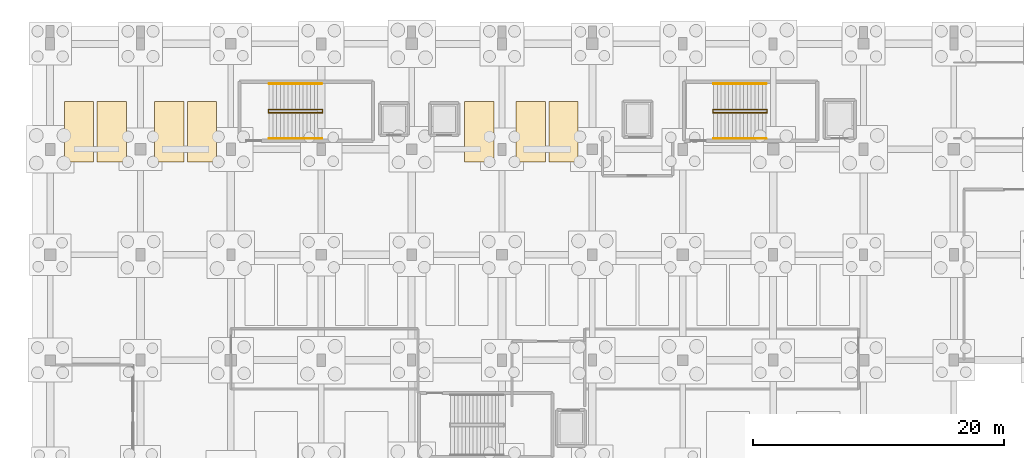
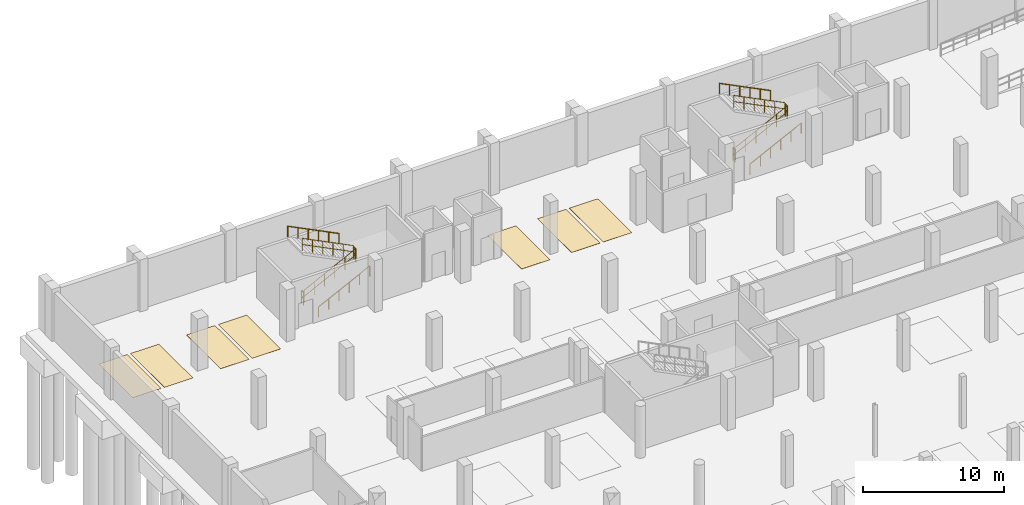
# One storey, part 32 of 35: 12 railings, 7 coverings.
"""IFC4 building model written with IfcOpenShell, lengths in metres."""

import ifcopenshell
import ifcopenshell.guid

model = None  # the IFC model being written
_history = None  # IfcOwnerHistory: only IFC2X3 demands one
_inside = {}  # id of a spatial element -> (the spatial element, [elements in it])
_under = {}  # id of a project, library or spatial element -> (it, [spatial elements below it])
_declared = {}  # id of a project -> (the project, [libraries it declares])
_typed = {}  # id of a type object -> (the type object, [elements of that type])
_made_of = {}  # id of a material, layer set ... -> (it, [elements and type objects made of it])


def new_model(schema):
    """Start an empty IFC model of exactly this schema.

    Asked for "IFC4X3", IfcOpenShell would pick the latest addendum, in which some entities
    have other attributes; the version numbers below select the first issue.
    IFC2X3 requires an IfcOwnerHistory on every rooted entity: one is made here for all.
    """
    global model, _history
    if schema == "IFC4X3":
        model = ifcopenshell.file(schema_version=(4, 3, 0, 0))
    else:
        model = ifcopenshell.file(schema=schema)
    _inside.clear()
    _under.clear()
    _declared.clear()
    _typed.clear()
    _made_of.clear()
    _history = None
    if model.schema == "IFC2X3":
        org = make("IfcOrganization", Name="unknown")
        user = make(
            "IfcPersonAndOrganization",
            ThePerson=make("IfcPerson", FamilyName="unknown"),
            TheOrganization=org,
        )
        app = make(
            "IfcApplication",
            ApplicationDeveloper=org,
            Version="unknown",
            ApplicationFullName="unknown",
            ApplicationIdentifier="unknown",
        )
        _history = make(
            "IfcOwnerHistory",
            OwningUser=user,
            OwningApplication=app,
            ChangeAction="ADDED",
            CreationDate=0,
        )
    return model


def make(cls, **values):
    """One entity of the class cls with the attributes given. An attribute that is None is left unset."""
    return model.create_entity(
        cls, **{name: value for name, value in values.items() if value is not None}
    )


def rooted(cls, **values):
    """An entity with a GlobalId (a new one), such as an element, a storey or a relation."""
    return make(cls, GlobalId=ifcopenshell.guid.new(), OwnerHistory=_history, **values)


def si_unit(unit_type, name, prefix=None):
    """IfcSIUnit, for example si_unit("LENGTHUNIT", "METRE", prefix="MILLI")."""
    return make("IfcSIUnit", UnitType=unit_type, Prefix=prefix, Name=name)


def assignment(units):
    """IfcUnitAssignment: the units of a project."""
    return None if units is None else make("IfcUnitAssignment", Units=units)


def point(xyz):
    """IfcCartesianPoint."""
    return None if xyz is None else make("IfcCartesianPoint", Coordinates=xyz)


def direction(xyz):
    """IfcDirection."""
    return None if xyz is None else make("IfcDirection", DirectionRatios=xyz)


def frame(location, z_axis=None, x_axis=None):
    """IfcAxis2Placement3D, a coordinate frame: its origin and axes. An axis left out is left unset."""
    return make(
        "IfcAxis2Placement3D",
        Location=point(location),
        Axis=direction(z_axis),
        RefDirection=direction(x_axis),
    )


def frame_2d(location, x_axis=None):
    """IfcAxis2Placement2D, a coordinate frame in the plane: its origin and x axis."""
    return make(
        "IfcAxis2Placement2D", Location=point(location), RefDirection=direction(x_axis)
    )


def origin():
    """The frame at (0, 0, 0) with its axes left unset."""
    return frame((0.0, 0.0, 0.0))


def origin_2d():
    """The frame at (0, 0) in the plane with its x axis left unset."""
    return frame_2d((0.0, 0.0))


def place(relative_to, where):
    """IfcLocalPlacement: puts the frame where relative to a parent placement (None: the world)."""
    return make(
        "IfcLocalPlacement", PlacementRelTo=relative_to, RelativePlacement=where
    )


def context(
    kind, dimensions, precision=None, world=None, true_north=None, identifier=None
):
    """IfcGeometricRepresentationContext, for example the 3D "Model" context."""
    return make(
        "IfcGeometricRepresentationContext",
        ContextIdentifier=identifier,
        ContextType=kind,
        CoordinateSpaceDimension=dimensions,
        Precision=precision,
        WorldCoordinateSystem=world,
        TrueNorth=true_north,
    )


def subcontext(parent, identifier, kind, view, scale=None):
    """IfcGeometricRepresentationSubContext, for example "Body" below "Model"."""
    return make(
        "IfcGeometricRepresentationSubContext",
        ContextIdentifier=identifier,
        ContextType=kind,
        ParentContext=parent,
        TargetScale=scale,
        TargetView=view,
    )


def project(units=None, contexts=None):
    """IfcProject with its units and contexts."""
    return rooted(
        "IfcProject",
        Name="project",
        RepresentationContexts=contexts,
        UnitsInContext=assignment(units),
    )


def spatial(cls, under=None, at=None, **own):
    """A site, building, storey or space (cls), placed at a placement, below another one or the project."""
    s = rooted(cls, ObjectPlacement=at, **own)
    if under is not None:
        _under.setdefault(under.id(), (under, []))[1].append(s)
    return s


def polyline(points):
    """IfcPolyline through the points."""
    return make("IfcPolyline", Points=[point(p) for p in points])


def profile(cls, at=None, kind="AREA", **sizes):
    """A parametric profile (cls). Its sizes go by their IFC names, for example OverallWidth=200.0."""
    return make(cls, ProfileType=kind, Position=at, **sizes)


def circle(**sizes):
    """IfcCircleProfileDef."""
    return profile("IfcCircleProfileDef", **sizes)


def outline(outer, holes=None, kind="AREA"):
    """IfcArbitraryClosedProfileDef: a profile drawn as a closed curve; with holes, ...WithVoids."""
    if holes is None:
        return make("IfcArbitraryClosedProfileDef", ProfileType=kind, OuterCurve=outer)
    return make(
        "IfcArbitraryProfileDefWithVoids",
        ProfileType=kind,
        OuterCurve=outer,
        InnerCurves=holes,
    )


def extrude(swept, where, along, depth):
    """IfcExtrudedAreaSolid: the profile swept, set in the frame where, extruded along a direction by depth."""
    return make(
        "IfcExtrudedAreaSolid",
        SweptArea=swept,
        Position=where,
        ExtrudedDirection=direction(along),
        Depth=depth,
    )


def shape(context_of_items, identifier, shape_type, items):
    """IfcShapeRepresentation: the items that make up one representation, for example the "Body"."""
    return make(
        "IfcShapeRepresentation",
        ContextOfItems=context_of_items,
        RepresentationIdentifier=identifier,
        RepresentationType=shape_type,
        Items=items,
    )


def material(Name=None, Category=None):
    """IfcMaterial."""
    return make("IfcMaterial", Name=Name, Category=Category)


def layer(
    of_material, thickness, ventilated=None, Name=None, Category=None, Priority=None
):
    """IfcMaterialLayer: one layer of a wall or slab, of a material (None: an air gap)."""
    return make(
        "IfcMaterialLayer",
        Material=of_material,
        LayerThickness=thickness,
        IsVentilated=ventilated,
        Name=Name,
        Category=Category,
        Priority=Priority,
    )


def layer_set(layers, Name=None):
    """IfcMaterialLayerSet."""
    return make("IfcMaterialLayerSet", MaterialLayers=layers, LayerSetName=Name)


def made_of(thing, what):
    """Note that an element or type object is made of a material, layer set ...; save() writes the relation."""
    if what is not None:
        _made_of.setdefault(what.id(), (what, []))[1].append(thing)
    return thing


def type_object(cls, material=None, **own):
    """A type object (cls), such as IfcWallType, which elements share."""
    return made_of(rooted(cls, **own), material)


def element(
    cls,
    number,
    at=None,
    inside=None,
    cuts=None,
    type_object=None,
    material=None,
    context=None,
    identifier="Body",
    shape_type=None,
    held_by="IfcProductDefinitionShape",
    body=None,
    shapes=None,
    **own,
):
    """One element of the class cls, such as IfcWall. Its Tag is "e" and its number.

    at: its placement. inside: the storey or other place that contains it. cuts: it is an
    opening in that element (IfcRelVoidsElement). A single representation is given by context,
    identifier, shape_type and body (its items); several are given by shapes. held_by: the class
    of the entity that holds the representations. save() writes the other relations.
    """
    e = rooted(cls, Tag="e%d" % number, ObjectPlacement=at, **own)
    if body is not None:
        shapes = [shape(context, identifier, shape_type, body)]
    if shapes is not None:
        e.Representation = make(held_by, Representations=shapes)
    if inside is not None:
        _inside.setdefault(inside.id(), (inside, []))[1].append(e)
    if cuts is not None:
        rooted(
            "IfcRelVoidsElement", RelatingBuildingElement=cuts, RelatedOpeningElement=e
        )
    if type_object is not None:
        _typed.setdefault(type_object.id(), (type_object, []))[1].append(e)
    return made_of(e, material)


def aggregate(whole, parts):
    """IfcRelAggregates: a whole, such as a stair, and the parts it consists of."""
    return rooted("IfcRelAggregates", RelatingObject=whole, RelatedObjects=parts)


def save(model, path):
    """Write the relations noted so far, then the file.

    IfcRelAggregates (storeys below a building ...), IfcRelContainedInSpatialStructure (elements
    in a storey), IfcRelDefinesByType, IfcRelAssociatesMaterial and IfcRelDeclares: one each for
    every whole, place, type object, material and project.
    """
    for whole, parts in _under.values():
        aggregate(whole, parts)
    for where, things in _inside.values():
        rooted(
            "IfcRelContainedInSpatialStructure",
            RelatedElements=things,
            RelatingStructure=where,
        )
    for kind, things in _typed.values():
        rooted("IfcRelDefinesByType", RelatedObjects=things, RelatingType=kind)
    for what, things in _made_of.values():
        rooted("IfcRelAssociatesMaterial", RelatedObjects=things, RelatingMaterial=what)
    for by, libraries in _declared.values():
        rooted("IfcRelDeclares", RelatingContext=by, RelatedDefinitions=libraries)
    model.write(path)


model = new_model("IFC4")

# Units and contexts
model_context = context("Model", 3, precision=1e-05, world=origin(), true_north=direction((0.0, 1.0)))
body_context = subcontext(model_context, "Body", "Model", "MODEL_VIEW")
ifc_project = project(units=[si_unit("LENGTHUNIT", "METRE"), si_unit("AREAUNIT", "SQUARE_METRE"), si_unit("VOLUMEUNIT", "CUBIC_METRE"), si_unit("PLANEANGLEUNIT", "RADIAN"), si_unit("MASSUNIT", "GRAM", prefix="KILO")], contexts=[model_context])

# Site, building, storey
site_placement = place(None, origin())
site = spatial("IfcSite", under=ifc_project, at=site_placement, CompositionType="ELEMENT")
building_placement = place(site_placement, origin())
building = spatial("IfcBuilding", under=site, at=building_placement, Name="Kalluvel Institute of Natural Sciences", CompositionType="ELEMENT")
storey_placement = place(building_placement, frame((0.0, 0.0, -4.5)))
storey = spatial("IfcBuildingStorey", under=building, at=storey_placement, Name="B1", CompositionType="ELEMENT", Elevation=-4.5)

# Coverings
ifc_material_1 = material(Name="Seamless Chemical-Resistant Epoxy Flooring", Category="resin")
ifc_layer = layer(ifc_material_1, 0.014892578125)
ifc_layer_set = layer_set([ifc_layer], Name="Seamless Chemical-Resistant Epoxy Flooring")
covering_type = type_object("IfcCoveringType", Name="COV-FLR-EPOXY", PredefinedType="FLOORING", material=ifc_layer_set)
covering_1_placement = place(storey_placement, origin())
element("IfcCovering", 1, at=covering_1_placement, inside=storey, type_object=covering_type, Name="Parking bay marking B1-P15", PredefinedType="FLOORING", context=body_context, shape_type="SweptSolid", body=[
    extrude(outline(polyline([(15.1298828125, 118.580078125), (17.469970703125, 118.580078125), (17.469970703125, 123.419921875), (15.1298828125, 123.419921875), (15.1298828125, 118.580078125)])), origin(), (0.0, 0.0, 1.0), 0.008056640625),
])
covering_2_placement = place(storey_placement, origin())
element("IfcCovering", 2, at=covering_2_placement, inside=storey, type_object=covering_type, Name="Parking bay marking B1-P16", PredefinedType="FLOORING", context=body_context, shape_type="SweptSolid", body=[
    extrude(outline(polyline([(17.72998046875, 118.580078125), (20.070068359375, 118.580078125), (20.070068359375, 123.419921875), (17.72998046875, 123.419921875), (17.72998046875, 118.580078125)])), origin(), (0.0, 0.0, 1.0), 0.008056640625),
])
covering_3_placement = place(storey_placement, origin())
element("IfcCovering", 3, at=covering_3_placement, inside=storey, type_object=covering_type, Name="Parking bay marking B1-P17", PredefinedType="FLOORING", context=body_context, shape_type="SweptSolid", body=[
    extrude(outline(polyline([(22.330078125, 118.580078125), (24.669921875, 118.580078125), (24.669921875, 123.419921875), (22.330078125, 123.419921875), (22.330078125, 118.580078125)])), origin(), (0.0, 0.0, 1.0), 0.008056640625),
])
covering_4_placement = place(storey_placement, origin())
element("IfcCovering", 4, at=covering_4_placement, inside=storey, type_object=covering_type, Name="Parking bay marking B1-P18", PredefinedType="FLOORING", context=body_context, shape_type="SweptSolid", body=[
    extrude(outline(polyline([(24.929931640625, 118.580078125), (27.27001953125, 118.580078125), (27.27001953125, 123.419921875), (24.929931640625, 123.419921875), (24.929931640625, 118.580078125)])), origin(), (0.0, 0.0, 1.0), 0.008056640625),
])
covering_5_placement = place(storey_placement, origin())
element("IfcCovering", 5, at=covering_5_placement, inside=storey, type_object=covering_type, Name="Parking bay marking B1-P19", PredefinedType="FLOORING", context=body_context, shape_type="SweptSolid", body=[
    extrude(outline(polyline([(47.030029296875, 118.580078125), (49.3701171875, 118.580078125), (49.3701171875, 123.419921875), (47.030029296875, 123.419921875), (47.030029296875, 118.580078125)])), origin(), (0.0, 0.0, 1.0), 0.008056640625),
])
covering_6_placement = place(storey_placement, origin())
element("IfcCovering", 6, at=covering_6_placement, inside=storey, type_object=covering_type, Name="Parking bay marking B1-P20", PredefinedType="FLOORING", context=body_context, shape_type="SweptSolid", body=[
    extrude(outline(polyline([(51.1298828125, 118.580078125), (53.469970703125, 118.580078125), (53.469970703125, 123.419921875), (51.1298828125, 123.419921875), (51.1298828125, 118.580078125)])), origin(), (0.0, 0.0, 1.0), 0.008056640625),
])
covering_7_placement = place(storey_placement, origin())
element("IfcCovering", 7, at=covering_7_placement, inside=storey, type_object=covering_type, Name="Parking bay marking B1-P21", PredefinedType="FLOORING", context=body_context, shape_type="SweptSolid", body=[
    extrude(outline(polyline([(53.72998046875, 118.580078125), (56.070068359375, 118.580078125), (56.070068359375, 123.419921875), (53.72998046875, 123.419921875), (53.72998046875, 118.580078125)])), origin(), (0.0, 0.0, 1.0), 0.008056640625),
])

# Railings
ifc_material_2 = material(Name="Galvanized Fire-Rated Steel", Category="steel")
railing_type_1 = type_object("IfcRailingType", Name="RL-GD-STAIR", PredefinedType="BALUSTRADE", material=ifc_material_2)
railing_1_placement = place(storey_placement, frame((31.449951171875, 122.510009765625, 0.14990234375)))
element("IfcRailing", 8, at=railing_1_placement, inside=storey, type_object=railing_type_1, Name="B1 ST1 stair guard 1", PredefinedType="BALUSTRADE", context=body_context, shape_type="SweptSolid", body=[
    extrude(circle(Radius=0.02392578125, at=origin_2d()), frame((0.0, 0.0, 1.09619140625), z_axis=(0.894416792377, 0.0, 0.447234392142), x_axis=(0.0, 1.0, 0.0)), (0.0, 0.0, 1.0), 4.69580078125),
    extrude(circle(Radius=0.02392578125, at=origin_2d()), frame((0.0, 0.0, 0.56005859375), z_axis=(0.894416792377, 0.0, 0.447234392142), x_axis=(0.0, 1.0, 0.0)), (0.0, 0.0, 1.0), 4.69580078125),
    extrude(circle(Radius=0.02099609375, at=origin_2d()), origin(), (0.0, 0.0, 1.0), 1.072021484375),
    extrude(circle(Radius=0.02099609375, at=origin_2d()), frame((0.840087890625, 0.0, 0.419921875)), (0.0, 0.0, 1.0), 1.072021484375),
    extrude(circle(Radius=0.02099609375, at=origin_2d()), frame((1.679931640625, 0.0, 0.840087890625)), (0.0, 0.0, 1.0), 1.072021484375),
    extrude(circle(Radius=0.02099609375, at=origin_2d()), frame((2.52001953125, 0.0, 1.260009765625)), (0.0, 0.0, 1.0), 1.072021484375),
    extrude(circle(Radius=0.02099609375, at=origin_2d()), frame((3.35986328125, 0.0, 1.68017578125)), (0.0, 0.0, 1.0), 1.072021484375),
    extrude(circle(Radius=0.02099609375, at=origin_2d()), frame((4.199951171875, 0.0, 2.10009765625)), (0.0, 0.0, 1.0), 1.072021484375),
])
railing_2_placement = place(storey_placement, frame((35.699951171875, 122.4951171875, 2.25)))
element("IfcRailing", 9, at=railing_2_placement, inside=storey, type_object=railing_type_1, Name="B1 ST1 stair guard 2", PredefinedType="BALUSTRADE", context=body_context, shape_type="SweptSolid", body=[
    extrude(circle(Radius=0.02392578125, at=origin_2d()), frame((0.0, 0.0, 1.09619140625), z_axis=(0.0, 1.0, 0.0), x_axis=(-1.0, 0.0, 0.0)), (0.0, 0.0, 1.0), 0.27978515625),
    extrude(circle(Radius=0.02392578125, at=origin_2d()), frame((0.0, 0.0, 0.56005859375), z_axis=(0.0, 1.0, 0.0), x_axis=(-1.0, 0.0, 0.0)), (0.0, 0.0, 1.0), 0.27978515625),
    extrude(circle(Radius=0.02099609375, at=origin_2d()), origin(), (0.0, 0.0, 1.0), 1.072021484375),
    extrude(circle(Radius=0.02099609375, at=origin_2d()), frame((0.0, 0.27978515625, 0.0)), (0.0, 0.0, 1.0), 1.072021484375),
])
railing_3_placement = place(storey_placement, frame((35.64990234375, 122.760009765625, 2.39990234375)))
element("IfcRailing", 10, at=railing_3_placement, inside=storey, type_object=railing_type_1, Name="B1 ST1 stair guard 3", PredefinedType="BALUSTRADE", context=body_context, shape_type="SweptSolid", body=[
    extrude(circle(Radius=0.02392578125, at=origin_2d()), frame((0.0, 0.0, 1.09619140625), z_axis=(-0.894416792377, 0.0, 0.447234392142), x_axis=(0.0, -1.0, 0.0)), (0.0, 0.0, 1.0), 4.69580078125),
    extrude(circle(Radius=0.02392578125, at=origin_2d()), frame((0.0, 0.0, 0.56005859375), z_axis=(-0.894416792377, 0.0, 0.447234392142), x_axis=(0.0, -1.0, 0.0)), (0.0, 0.0, 1.0), 4.69580078125),
    extrude(circle(Radius=0.02099609375, at=origin_2d()), origin(), (0.0, 0.0, 1.0), 1.072021484375),
    extrude(circle(Radius=0.02099609375, at=origin_2d()), frame((-0.840087890625, 0.0, 0.419921875)), (0.0, 0.0, 1.0), 1.072021484375),
    extrude(circle(Radius=0.02099609375, at=origin_2d()), frame((-1.679931640625, 0.0, 0.840087890625)), (0.0, 0.0, 1.0), 1.072021484375),
    extrude(circle(Radius=0.02099609375, at=origin_2d()), frame((-2.52001953125, 0.0, 1.260009765625)), (0.0, 0.0, 1.0), 1.072021484375),
    extrude(circle(Radius=0.02099609375, at=origin_2d()), frame((-3.35986328125, 0.0, 1.68017578125)), (0.0, 0.0, 1.0), 1.072021484375),
    extrude(circle(Radius=0.02099609375, at=origin_2d()), frame((-4.199951171875, 0.0, 2.10009765625)), (0.0, 0.0, 1.0), 1.072021484375),
])
railing_4_placement = place(storey_placement, frame((31.39990234375, 122.4951171875, 0.0)))
element("IfcRailing", 11, at=railing_4_placement, inside=storey, type_object=railing_type_1, Name="B1 ST1 stair guard 4", PredefinedType="BALUSTRADE", context=body_context, shape_type="SweptSolid", body=[
    extrude(circle(Radius=0.02392578125, at=origin_2d()), frame((0.0, 0.0, 1.09619140625), z_axis=(0.0, 1.0, 0.0), x_axis=(-1.0, 0.0, 0.0)), (0.0, 0.0, 1.0), 0.27978515625),
    extrude(circle(Radius=0.02392578125, at=origin_2d()), frame((0.0, 0.0, 0.56005859375), z_axis=(0.0, 1.0, 0.0), x_axis=(-1.0, 0.0, 0.0)), (0.0, 0.0, 1.0), 0.27978515625),
    extrude(circle(Radius=0.02099609375, at=origin_2d()), origin(), (0.0, 0.0, 1.0), 1.072021484375),
    extrude(circle(Radius=0.02099609375, at=origin_2d()), frame((0.0, 0.27978515625, 0.0)), (0.0, 0.0, 1.0), 1.072021484375),
])
railing_5_placement = place(storey_placement, frame((66.85009765625, 122.510009765625, 0.14990234375)))
element("IfcRailing", 12, at=railing_5_placement, inside=storey, type_object=railing_type_1, Name="B1 ST2 stair guard 1", PredefinedType="BALUSTRADE", context=body_context, shape_type="SweptSolid", body=[
    extrude(circle(Radius=0.02392578125, at=origin_2d()), frame((0.0, 0.0, 1.09619140625), z_axis=(0.894416792377, 0.0, 0.447234392142), x_axis=(0.0, 1.0, 0.0)), (0.0, 0.0, 1.0), 4.69580078125),
    extrude(circle(Radius=0.02392578125, at=origin_2d()), frame((0.0, 0.0, 0.56005859375), z_axis=(0.894416792377, 0.0, 0.447234392142), x_axis=(0.0, 1.0, 0.0)), (0.0, 0.0, 1.0), 4.69580078125),
    extrude(circle(Radius=0.02099609375, at=origin_2d()), origin(), (0.0, 0.0, 1.0), 1.072021484375),
    extrude(circle(Radius=0.02099609375, at=origin_2d()), frame((0.840087890625, 0.0, 0.419921875)), (0.0, 0.0, 1.0), 1.072021484375),
    extrude(circle(Radius=0.02099609375, at=origin_2d()), frame((1.679931640625, 0.0, 0.840087890625)), (0.0, 0.0, 1.0), 1.072021484375),
    extrude(circle(Radius=0.02099609375, at=origin_2d()), frame((2.52001953125, 0.0, 1.260009765625)), (0.0, 0.0, 1.0), 1.072021484375),
    extrude(circle(Radius=0.02099609375, at=origin_2d()), frame((3.35986328125, 0.0, 1.68017578125)), (0.0, 0.0, 1.0), 1.072021484375),
    extrude(circle(Radius=0.02099609375, at=origin_2d()), frame((4.199951171875, 0.0, 2.10009765625)), (0.0, 0.0, 1.0), 1.072021484375),
])
railing_6_placement = place(storey_placement, frame((71.10009765625, 122.4951171875, 2.25)))
element("IfcRailing", 13, at=railing_6_placement, inside=storey, type_object=railing_type_1, Name="B1 ST2 stair guard 2", PredefinedType="BALUSTRADE", context=body_context, shape_type="SweptSolid", body=[
    extrude(circle(Radius=0.02392578125, at=origin_2d()), frame((0.0, 0.0, 1.09619140625), z_axis=(0.0, 1.0, 0.0), x_axis=(-1.0, 0.0, 0.0)), (0.0, 0.0, 1.0), 0.27978515625),
    extrude(circle(Radius=0.02392578125, at=origin_2d()), frame((0.0, 0.0, 0.56005859375), z_axis=(0.0, 1.0, 0.0), x_axis=(-1.0, 0.0, 0.0)), (0.0, 0.0, 1.0), 0.27978515625),
    extrude(circle(Radius=0.02099609375, at=origin_2d()), origin(), (0.0, 0.0, 1.0), 1.072021484375),
    extrude(circle(Radius=0.02099609375, at=origin_2d()), frame((0.0, 0.27978515625, 0.0)), (0.0, 0.0, 1.0), 1.072021484375),
])
railing_7_placement = place(storey_placement, frame((71.050048828125, 122.760009765625, 2.39990234375)))
element("IfcRailing", 14, at=railing_7_placement, inside=storey, type_object=railing_type_1, Name="B1 ST2 stair guard 3", PredefinedType="BALUSTRADE", context=body_context, shape_type="SweptSolid", body=[
    extrude(circle(Radius=0.02392578125, at=origin_2d()), frame((0.0, 0.0, 1.09619140625), z_axis=(-0.894416792377, 0.0, 0.447234392142), x_axis=(0.0, -1.0, 0.0)), (0.0, 0.0, 1.0), 4.69580078125),
    extrude(circle(Radius=0.02392578125, at=origin_2d()), frame((0.0, 0.0, 0.56005859375), z_axis=(-0.894416792377, 0.0, 0.447234392142), x_axis=(0.0, -1.0, 0.0)), (0.0, 0.0, 1.0), 4.69580078125),
    extrude(circle(Radius=0.02099609375, at=origin_2d()), origin(), (0.0, 0.0, 1.0), 1.072021484375),
    extrude(circle(Radius=0.02099609375, at=origin_2d()), frame((-0.840087890625, 0.0, 0.419921875)), (0.0, 0.0, 1.0), 1.072021484375),
    extrude(circle(Radius=0.02099609375, at=origin_2d()), frame((-1.679931640625, 0.0, 0.840087890625)), (0.0, 0.0, 1.0), 1.072021484375),
    extrude(circle(Radius=0.02099609375, at=origin_2d()), frame((-2.52001953125, 0.0, 1.260009765625)), (0.0, 0.0, 1.0), 1.072021484375),
    extrude(circle(Radius=0.02099609375, at=origin_2d()), frame((-3.35986328125, 0.0, 1.68017578125)), (0.0, 0.0, 1.0), 1.072021484375),
    extrude(circle(Radius=0.02099609375, at=origin_2d()), frame((-4.199951171875, 0.0, 2.10009765625)), (0.0, 0.0, 1.0), 1.072021484375),
])
railing_8_placement = place(storey_placement, frame((66.800048828125, 122.4951171875, 0.0)))
element("IfcRailing", 15, at=railing_8_placement, inside=storey, type_object=railing_type_1, Name="B1 ST2 stair guard 4", PredefinedType="BALUSTRADE", context=body_context, shape_type="SweptSolid", body=[
    extrude(circle(Radius=0.02392578125, at=origin_2d()), frame((0.0, 0.0, 1.09619140625), z_axis=(0.0, 1.0, 0.0), x_axis=(-1.0, 0.0, 0.0)), (0.0, 0.0, 1.0), 0.27978515625),
    extrude(circle(Radius=0.02392578125, at=origin_2d()), frame((0.0, 0.0, 0.56005859375), z_axis=(0.0, 1.0, 0.0), x_axis=(-1.0, 0.0, 0.0)), (0.0, 0.0, 1.0), 0.27978515625),
    extrude(circle(Radius=0.02099609375, at=origin_2d()), origin(), (0.0, 0.0, 1.0), 1.072021484375),
    extrude(circle(Radius=0.02099609375, at=origin_2d()), frame((0.0, 0.27978515625, 0.0)), (0.0, 0.0, 1.0), 1.072021484375),
])
railing_type_2 = type_object("IfcRailingType", Name="RL-HR-STAIR", PredefinedType="HANDRAIL", material=ifc_material_2)
railing_9_placement = place(storey_placement, frame((31.449951171875, 120.449951171875, 0.14990234375)))
element("IfcRailing", 16, at=railing_9_placement, inside=storey, type_object=railing_type_2, Name="B1 ST1 stair handrail 1", PredefinedType="HANDRAIL", context=body_context, shape_type="SweptSolid", body=[
    extrude(circle(Radius=0.02392578125, at=origin_2d()), frame((0.0, 0.0, 0.89599609375), z_axis=(0.894416792377, 0.0, 0.447234392142), x_axis=(0.0, 1.0, 0.0)), (0.0, 0.0, 1.0), 4.69580078125),
    extrude(circle(Radius=0.02099609375, at=origin_2d()), origin(), (0.0, 0.0, 1.0), 0.871826171875),
    extrude(circle(Radius=0.02099609375, at=origin_2d()), frame((0.840087890625, 0.0, 0.419921875)), (0.0, 0.0, 1.0), 0.871826171875),
    extrude(circle(Radius=0.02099609375, at=origin_2d()), frame((1.679931640625, 0.0, 0.840087890625)), (0.0, 0.0, 1.0), 0.871826171875),
    extrude(circle(Radius=0.02099609375, at=origin_2d()), frame((2.52001953125, 0.0, 1.260009765625)), (0.0, 0.0, 1.0), 0.871826171875),
    extrude(circle(Radius=0.02099609375, at=origin_2d()), frame((3.35986328125, 0.0, 1.68017578125)), (0.0, 0.0, 1.0), 0.871826171875),
    extrude(circle(Radius=0.02099609375, at=origin_2d()), frame((4.199951171875, 0.0, 2.10009765625)), (0.0, 0.0, 1.0), 0.871826171875),
])
railing_10_placement = place(storey_placement, frame((35.64990234375, 124.820068359375, 2.39990234375)))
element("IfcRailing", 17, at=railing_10_placement, inside=storey, type_object=railing_type_2, Name="B1 ST1 stair handrail 2", PredefinedType="HANDRAIL", context=body_context, shape_type="SweptSolid", body=[
    extrude(circle(Radius=0.02392578125, at=origin_2d()), frame((0.0, 0.0, 0.89599609375), z_axis=(-0.894416792377, 0.0, 0.447234392142), x_axis=(0.0, -1.0, 0.0)), (0.0, 0.0, 1.0), 4.69580078125),
    extrude(circle(Radius=0.02099609375, at=origin_2d()), origin(), (0.0, 0.0, 1.0), 0.871826171875),
    extrude(circle(Radius=0.02099609375, at=origin_2d()), frame((-0.840087890625, 0.0, 0.419921875)), (0.0, 0.0, 1.0), 0.871826171875),
    extrude(circle(Radius=0.02099609375, at=origin_2d()), frame((-1.679931640625, 0.0, 0.840087890625)), (0.0, 0.0, 1.0), 0.871826171875),
    extrude(circle(Radius=0.02099609375, at=origin_2d()), frame((-2.52001953125, 0.0, 1.260009765625)), (0.0, 0.0, 1.0), 0.871826171875),
    extrude(circle(Radius=0.02099609375, at=origin_2d()), frame((-3.35986328125, 0.0, 1.68017578125)), (0.0, 0.0, 1.0), 0.871826171875),
    extrude(circle(Radius=0.02099609375, at=origin_2d()), frame((-4.199951171875, 0.0, 2.10009765625)), (0.0, 0.0, 1.0), 0.871826171875),
])
railing_11_placement = place(storey_placement, frame((66.85009765625, 120.449951171875, 0.14990234375)))
element("IfcRailing", 18, at=railing_11_placement, inside=storey, type_object=railing_type_2, Name="B1 ST2 stair handrail 1", PredefinedType="HANDRAIL", context=body_context, shape_type="SweptSolid", body=[
    extrude(circle(Radius=0.02392578125, at=origin_2d()), frame((0.0, 0.0, 0.89599609375), z_axis=(0.894416792377, 0.0, 0.447234392142), x_axis=(0.0, 1.0, 0.0)), (0.0, 0.0, 1.0), 4.69580078125),
    extrude(circle(Radius=0.02099609375, at=origin_2d()), origin(), (0.0, 0.0, 1.0), 0.871826171875),
    extrude(circle(Radius=0.02099609375, at=origin_2d()), frame((0.840087890625, 0.0, 0.419921875)), (0.0, 0.0, 1.0), 0.871826171875),
    extrude(circle(Radius=0.02099609375, at=origin_2d()), frame((1.679931640625, 0.0, 0.840087890625)), (0.0, 0.0, 1.0), 0.871826171875),
    extrude(circle(Radius=0.02099609375, at=origin_2d()), frame((2.52001953125, 0.0, 1.260009765625)), (0.0, 0.0, 1.0), 0.871826171875),
    extrude(circle(Radius=0.02099609375, at=origin_2d()), frame((3.35986328125, 0.0, 1.68017578125)), (0.0, 0.0, 1.0), 0.871826171875),
    extrude(circle(Radius=0.02099609375, at=origin_2d()), frame((4.199951171875, 0.0, 2.10009765625)), (0.0, 0.0, 1.0), 0.871826171875),
])
railing_12_placement = place(storey_placement, frame((71.050048828125, 124.820068359375, 2.39990234375)))
element("IfcRailing", 19, at=railing_12_placement, inside=storey, type_object=railing_type_2, Name="B1 ST2 stair handrail 2", PredefinedType="HANDRAIL", context=body_context, shape_type="SweptSolid", body=[
    extrude(circle(Radius=0.02392578125, at=origin_2d()), frame((0.0, 0.0, 0.89599609375), z_axis=(-0.894416792377, 0.0, 0.447234392142), x_axis=(0.0, -1.0, 0.0)), (0.0, 0.0, 1.0), 4.69580078125),
    extrude(circle(Radius=0.02099609375, at=origin_2d()), origin(), (0.0, 0.0, 1.0), 0.871826171875),
    extrude(circle(Radius=0.02099609375, at=origin_2d()), frame((-0.840087890625, 0.0, 0.419921875)), (0.0, 0.0, 1.0), 0.871826171875),
    extrude(circle(Radius=0.02099609375, at=origin_2d()), frame((-1.679931640625, 0.0, 0.840087890625)), (0.0, 0.0, 1.0), 0.871826171875),
    extrude(circle(Radius=0.02099609375, at=origin_2d()), frame((-2.52001953125, 0.0, 1.260009765625)), (0.0, 0.0, 1.0), 0.871826171875),
    extrude(circle(Radius=0.02099609375, at=origin_2d()), frame((-3.35986328125, 0.0, 1.68017578125)), (0.0, 0.0, 1.0), 0.871826171875),
    extrude(circle(Radius=0.02099609375, at=origin_2d()), frame((-4.199951171875, 0.0, 2.10009765625)), (0.0, 0.0, 1.0), 0.871826171875),
])

save(model, "model.ifc")
